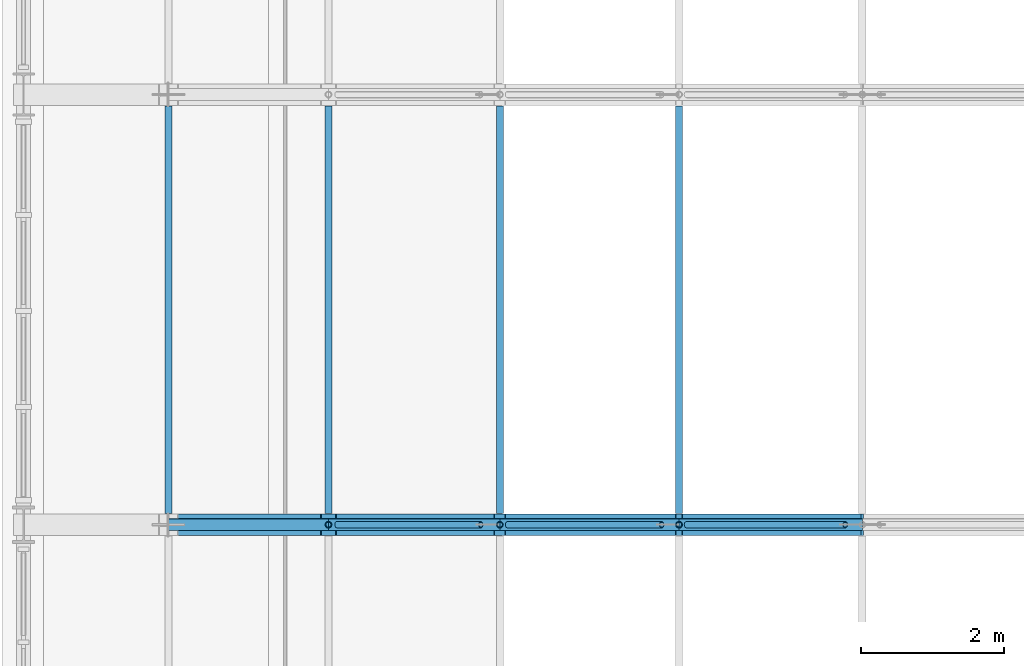
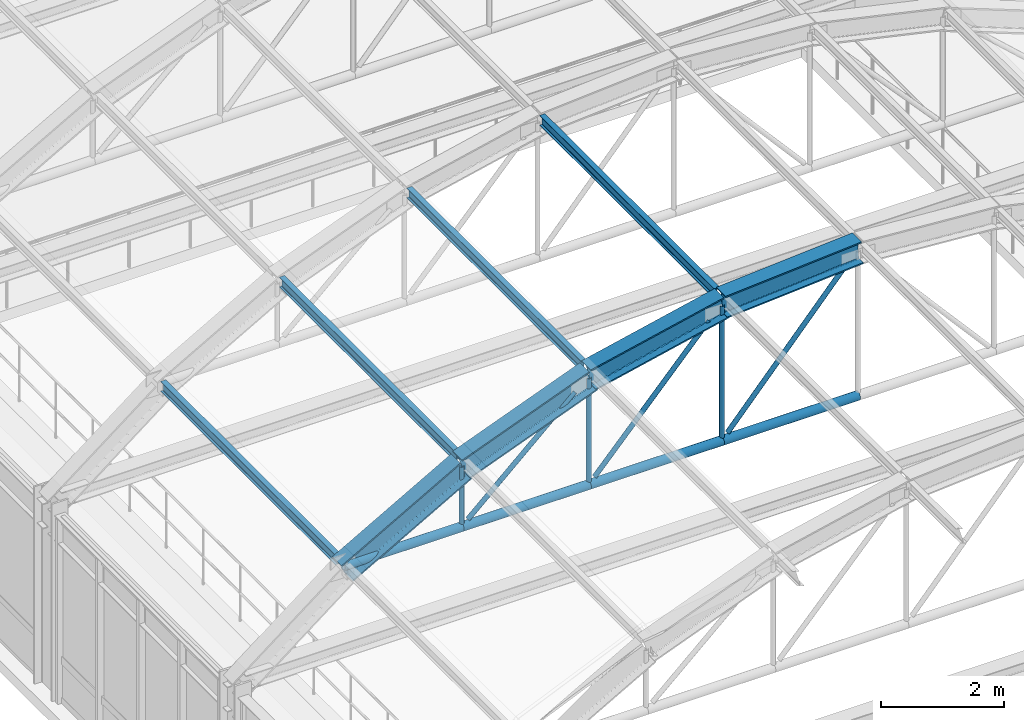
# One storey, part 42 of 148: 10 members, 8 beams.
"""IFC4 building model written with IfcOpenShell, lengths in metres."""

from ifc_helpers import new_model, si_unit, direction, frame, origin, origin_2d, place, context, subcontext, project, spatial, hollow_circle, i_section, extrude, material, material_profile, profile_set, type_object, element, save


model = new_model("IFC4")

# Units and contexts
model_context = context("Model", 3, precision=1e-05, world=origin(), true_north=direction((0.0, 1.0)))
body_context = subcontext(model_context, "Body", "Model", "MODEL_VIEW")
ifc_project = project(units=[si_unit("LENGTHUNIT", "METRE"), si_unit("AREAUNIT", "SQUARE_METRE"), si_unit("VOLUMEUNIT", "CUBIC_METRE"), si_unit("PLANEANGLEUNIT", "RADIAN"), si_unit("MASSUNIT", "GRAM", prefix="KILO"), si_unit("THERMODYNAMICTEMPERATUREUNIT", "KELVIN"), si_unit("POWERUNIT", "WATT")], contexts=[model_context])

# Site, building, storey
site_placement = place(None, origin())
site = spatial("IfcSite", under=ifc_project, at=site_placement, CompositionType="ELEMENT")
building_placement = place(site_placement, origin())
building = spatial("IfcBuilding", under=site, at=building_placement, Name="Solvatero Civic Police Headquarters", CompositionType="ELEMENT")
storey_placement = place(building_placement, frame((0.0, 0.0, 5.10009765625)))
storey = spatial("IfcBuildingStorey", under=building, at=storey_placement, Name="L01", CompositionType="ELEMENT", Elevation=5.10009765625)

# Beams
ifc_material = material(Name="Steel S355", Category="steel")
ifc_material_profile_1 = material_profile(ifc_material, i_section(OverallWidth=0.300048828125, OverallDepth=0.449951171875, WebThickness=0.013916015625, FlangeThickness=0.02587890625, FilletRadius=0.027099609375, at=origin_2d()), Name="HEB 450")
ifc_profile_set_1 = profile_set([ifc_material_profile_1], Name="Steel S355")
beam_type_1 = type_object("IfcBeamType", Name="BM-ST-HEB450", PredefinedType="BEAM", material=ifc_profile_set_1)
for number, where, z_axis, x_axis, name in (
    (1, (100.822509765625, 22.800048828125, 5.330322265625), (0.870765086908, 0.0, 0.491699261156), (0.0, 1.0, 0.0), "VLT1 Tied-Arch Vault Top Chord F4.2"),
    (2, (103.053466796875, 22.800048828125, 6.619873046875), (0.933355429458, 0.0, 0.358953537802), (0.0, 1.0, 0.0), "VLT1 Tied-Arch Vault Top Chord F4.3"),
):
    element("IfcBeam", number, at=place(storey_placement, frame(where, z_axis=z_axis, x_axis=x_axis)), inside=storey, type_object=beam_type_1, Name=name, PredefinedType="BEAM", context=body_context, shape_type="SweptSolid", body=[
        extrude(i_section(OverallWidth=0.300048828125, OverallDepth=0.449951171875, WebThickness=0.013916015625, FlangeThickness=0.02587890625, FilletRadius=0.027099609375, at=origin_2d()), origin(), (0.0, 0.0, 1.0), 2.56201171875),
    ])
beam_1_placement = place(storey_placement, frame((105.44482421875, 22.800048828125, 7.5576171875), z_axis=(0.975854055758, 0.0, 0.218423583574), x_axis=(0.0, 1.0, 0.0)))
element("IfcBeam", 3, at=beam_1_placement, inside=storey, type_object=beam_type_1, Name="VLT1 Tied-Arch Vault Top Chord F4.4", PredefinedType="BEAM", context=body_context, shape_type="SweptSolid", body=[
    extrude(i_section(OverallWidth=0.300048828125, OverallDepth=0.449951171875, WebThickness=0.013916015625, FlangeThickness=0.02587890625, FilletRadius=0.027099609375, at=origin_2d()), origin(), (0.0, 0.0, 1.0), 2.561767578125),
])
beam_2_placement = place(storey_placement, frame((107.94482421875, 22.800048828125, 8.1259765625), z_axis=(0.997304549883, 0.0, 0.073373256584), x_axis=(0.0, 1.0, 0.0)))
element("IfcBeam", 4, at=beam_2_placement, inside=storey, type_object=beam_type_1, Name="VLT1 Tied-Arch Vault Top Chord F4.5", PredefinedType="BEAM", context=body_context, shape_type="SweptSolid", body=[
    extrude(i_section(OverallWidth=0.300048828125, OverallDepth=0.449951171875, WebThickness=0.013916015625, FlangeThickness=0.02587890625, FilletRadius=0.027099609375, at=origin_2d()), origin(), (0.0, 0.0, 1.0), 2.56201171875),
])
ifc_material_profile_2 = material_profile(ifc_material, i_section(OverallWidth=0.10009765625, OverallDepth=0.199951171875, WebThickness=0.005615234375, FlangeThickness=0.008544921875, FilletRadius=0.011962890625, at=origin_2d()), Name="IPE 200")
ifc_profile_set_2 = profile_set([ifc_material_profile_2], Name="Steel S355")
beam_type_2 = type_object("IfcBeamType", Name="BM-ST-IPE200", PredefinedType="JOIST", material=ifc_profile_set_2)
for number, where, z_axis, x_axis, name in (
    (5, (100.822509765625, 22.9580078125, 5.4326171875), (0.0, 1.0, 0.0), (-1.0, 0.0, 0.0), "VLT1 Vault Roof Purlin B4.1"),
    (6, (103.053466796875, 22.9580078125, 6.721435546875), (0.0, 1.0, 0.0), (-1.0, 0.0, 0.0), "VLT1 Vault Roof Purlin B4.2"),
    (7, (105.44482421875, 22.9580078125, 7.65576171875), (0.0, 1.0, 0.0), (-1.0, 0.0, 0.0), "VLT1 Vault Roof Purlin B4.3"),
    (8, (107.94482421875, 22.9580078125, 8.222900390625), (0.0, 1.0, 0.0), (-1.0, 0.0, 0.0), "VLT1 Vault Roof Purlin B4.4"),
):
    element("IfcBeam", number, at=place(storey_placement, frame(where, z_axis=z_axis, x_axis=x_axis)), inside=storey, type_object=beam_type_2, Name=name, PredefinedType="JOIST", context=body_context, shape_type="SweptSolid", body=[
        extrude(i_section(OverallWidth=0.10009765625, OverallDepth=0.199951171875, WebThickness=0.005615234375, FlangeThickness=0.008544921875, FilletRadius=0.011962890625, at=origin_2d()), origin(), (0.0, 0.0, 1.0), 5.68408203125),
    ])

# Members
ifc_material_profile_3 = material_profile(ifc_material, hollow_circle(Radius=0.04443359375, WallThickness=0.00634765625, at=origin_2d()), Name="CHS 88.9x6.3")
ifc_profile_set_3 = profile_set([ifc_material_profile_3], Name="Steel S355")
member_type_1 = type_object("IfcMemberType", Name="MB-HNG-CHS89", PredefinedType="STRUT", material=ifc_profile_set_3)
member_1_placement = place(storey_placement, frame((103.171875, 22.800048828125, 5.49951171875), z_axis=(0.739076960519, 0.0, 0.673620996132), x_axis=(0.0, 1.0, 0.0)))
element("IfcMember", 9, at=member_1_placement, inside=storey, type_object=member_type_1, Name="VLT1 Vault Truss Diagonal Web F4.2", PredefinedType="STRUT", context=body_context, shape_type="SweptSolid", body=[
    extrude(hollow_circle(Radius=0.04443359375, WallThickness=0.00634765625, at=origin_2d()), origin(), (0.0, 0.0, 1.0), 2.71533203125),
])
member_2_placement = place(storey_placement, frame((105.552734375, 22.800048828125, 5.509765625), z_axis=(0.674096872288, 0.0, 0.73864294945), x_axis=(0.0, 1.0, 0.0)))
element("IfcMember", 10, at=member_2_placement, inside=storey, type_object=member_type_1, Name="VLT1 Vault Truss Diagonal Web F4.3", PredefinedType="STRUT", context=body_context, shape_type="SweptSolid", body=[
    extrude(hollow_circle(Radius=0.04443359375, WallThickness=0.00634765625, at=origin_2d()), origin(), (0.0, 0.0, 1.0), 3.1884765625),
])
member_3_placement = place(storey_placement, frame((108.050048828125, 22.800048828125, 5.51220703125), z_axis=(0.657605371239, 0.0, 0.753362579186), x_axis=(0.0, 1.0, 0.0)))
element("IfcMember", 11, at=member_3_placement, inside=storey, type_object=member_type_1, Name="VLT1 Vault Truss Diagonal Web F4.4", PredefinedType="STRUT", context=body_context, shape_type="SweptSolid", body=[
    extrude(hollow_circle(Radius=0.04443359375, WallThickness=0.00634765625, at=origin_2d()), origin(), (0.0, 0.0, 1.0), 3.365478515625),
])
member_4_placement = place(storey_placement, frame((103.053466796875, 22.800048828125, 5.431640625), z_axis=(0.0, 0.0, 1.0), x_axis=(1.0, 0.0, 0.0)))
element("IfcMember", 12, at=member_4_placement, inside=storey, type_object=member_type_1, Name="VLT1 Vault Vertical Hanger F4.2", PredefinedType="STRUT", context=body_context, shape_type="SweptSolid", body=[
    extrude(hollow_circle(Radius=0.04443359375, WallThickness=0.00634765625, at=origin_2d()), origin(), (0.0, 0.0, 1.0), 1.169677734375),
])
member_5_placement = place(storey_placement, frame((105.44482421875, 22.800048828125, 5.431640625), z_axis=(0.0, 0.0, 1.0), x_axis=(1.0, 0.0, 0.0)))
element("IfcMember", 13, at=member_5_placement, inside=storey, type_object=member_type_1, Name="VLT1 Vault Vertical Hanger F4.3", PredefinedType="STRUT", context=body_context, shape_type="SweptSolid", body=[
    extrude(hollow_circle(Radius=0.04443359375, WallThickness=0.00634765625, at=origin_2d()), origin(), (0.0, 0.0, 1.0), 2.08935546875),
])
member_6_placement = place(storey_placement, frame((107.94482421875, 22.800048828125, 5.431640625), z_axis=(0.0, 0.0, 1.0), x_axis=(1.0, 0.0, 0.0)))
element("IfcMember", 14, at=member_6_placement, inside=storey, type_object=member_type_1, Name="VLT1 Vault Vertical Hanger F4.4", PredefinedType="STRUT", context=body_context, shape_type="SweptSolid", body=[
    extrude(hollow_circle(Radius=0.04443359375, WallThickness=0.00634765625, at=origin_2d()), origin(), (0.0, 0.0, 1.0), 2.649169921875),
])
ifc_material_profile_4 = material_profile(ifc_material, hollow_circle(Radius=0.084228515625, WallThickness=0.010009765625, at=origin_2d()), Name="CHS 168.3x10.0")
ifc_profile_set_4 = profile_set([ifc_material_profile_4], Name="Steel S355")
member_type_2 = type_object("IfcMemberType", Name="MB-TIE-CHS168", PredefinedType="CHORD", material=ifc_profile_set_4)
member_7_placement = place(storey_placement, frame((100.822509765625, 22.800048828125, 5.3916015625), z_axis=(1.0, 0.0, 0.0), x_axis=(0.0, 1.0, 0.0)))
element("IfcMember", 15, at=member_7_placement, inside=storey, type_object=member_type_2, Name="VLT1 Vault Horizontal Tie Chord F4.1", PredefinedType="CHORD", context=body_context, shape_type="SweptSolid", body=[
    extrude(hollow_circle(Radius=0.084228515625, WallThickness=0.010009765625, at=origin_2d()), origin(), (0.0, 0.0, 1.0), 2.23095703125),
])
member_8_placement = place(storey_placement, frame((103.053466796875, 22.800048828125, 5.3916015625), z_axis=(1.0, 0.0, 0.0), x_axis=(0.0, 1.0, 0.0)))
element("IfcMember", 16, at=member_8_placement, inside=storey, type_object=member_type_2, Name="VLT1 Vault Horizontal Tie Chord F4.2", PredefinedType="CHORD", context=body_context, shape_type="SweptSolid", body=[
    extrude(hollow_circle(Radius=0.084228515625, WallThickness=0.010009765625, at=origin_2d()), origin(), (0.0, 0.0, 1.0), 2.391357421875),
])
member_9_placement = place(storey_placement, frame((105.44482421875, 22.800048828125, 5.3916015625), z_axis=(1.0, 0.0, 0.0), x_axis=(0.0, 1.0, 0.0)))
element("IfcMember", 17, at=member_9_placement, inside=storey, type_object=member_type_2, Name="VLT1 Vault Horizontal Tie Chord F4.3", PredefinedType="CHORD", context=body_context, shape_type="SweptSolid", body=[
    extrude(hollow_circle(Radius=0.084228515625, WallThickness=0.010009765625, at=origin_2d()), origin(), (0.0, 0.0, 1.0), 2.5),
])
member_10_placement = place(storey_placement, frame((107.94482421875, 22.800048828125, 5.3916015625), z_axis=(1.0, 0.0, 0.0), x_axis=(0.0, 1.0, 0.0)))
element("IfcMember", 18, at=member_10_placement, inside=storey, type_object=member_type_2, Name="VLT1 Vault Horizontal Tie Chord F4.4", PredefinedType="CHORD", context=body_context, shape_type="SweptSolid", body=[
    extrude(hollow_circle(Radius=0.084228515625, WallThickness=0.010009765625, at=origin_2d()), origin(), (0.0, 0.0, 1.0), 2.55517578125),
])

save(model, "model.ifc")
